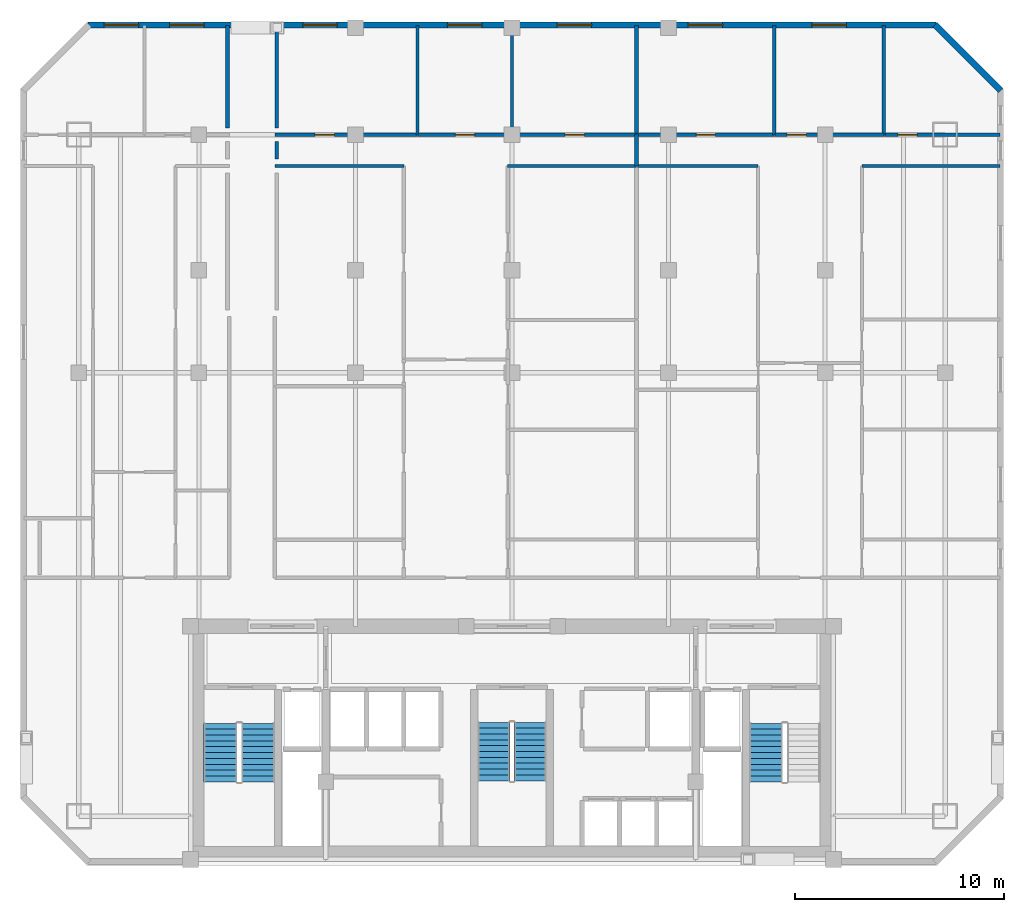
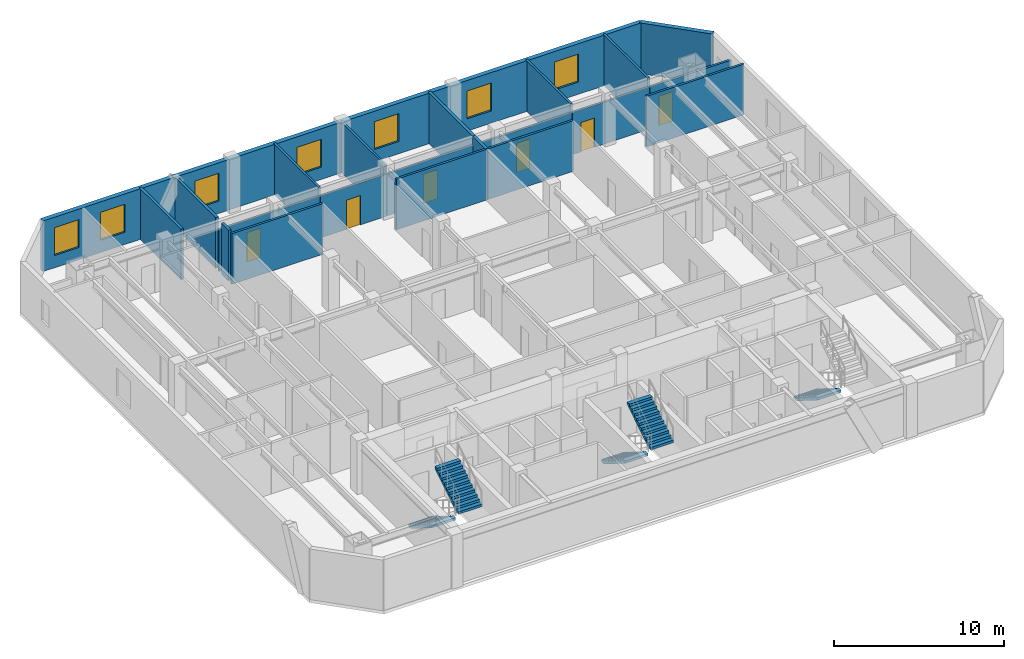
# One storey, part 6 of 8: 21 walls, 7 windows, 6 doors, 5 stair flights, 13 openings, 3 elements without a shape of their own.
"""IFC4 building model written with IfcOpenShell, lengths in metres."""

from ifc_helpers import new_model, si_unit, direction, frame, frame_2d, origin, place, context, subcontext, project, spatial, polyline, rectangle, outline, extrude, material, layer, layer_set, type_object, element, fill, aggregate, save


model = new_model("IFC4")

# Units and contexts
model_context = context("Model", 3, precision=1e-05, world=origin(), true_north=direction((0.0, 1.0)))
body_context = subcontext(model_context, "Body", "Model", "MODEL_VIEW")
ifc_project = project(units=[si_unit("LENGTHUNIT", "METRE"), si_unit("AREAUNIT", "SQUARE_METRE"), si_unit("VOLUMEUNIT", "CUBIC_METRE"), si_unit("PLANEANGLEUNIT", "RADIAN"), si_unit("MASSUNIT", "GRAM", prefix="KILO")], contexts=[model_context])

# Site, building, storey
site_placement = place(None, origin())
site = spatial("IfcSite", under=ifc_project, at=site_placement, CompositionType="ELEMENT")
building_placement = place(site_placement, origin())
building = spatial("IfcBuilding", under=site, at=building_placement, Name="Ventersveld Concourse Tower", CompositionType="ELEMENT")
storey_placement = place(building_placement, frame((0.0, 0.0, 160.60009765625)))
storey = spatial("IfcBuildingStorey", under=building, at=storey_placement, Name="L39", CompositionType="ELEMENT", Elevation=160.60009765625)

# Walls
ifc_material_1 = material(Name="Fire-rated autoclaved aerated masonry blockwork", Category="masonry")
ifc_layer_1 = layer(ifc_material_1, 0.179931640625)
ifc_layer_set_1 = layer_set([ifc_layer_1], Name="Fire-rated autoclaved aerated masonry blockwork")
wall_type_1 = type_object("IfcWallType", Name="WL-CORR-180", PredefinedType="PARTITIONING", material=ifc_layer_set_1)
wall_1_placement = place(storey_placement, frame((15.1201171875, 40.2275390625, 0.0), z_axis=(0.0, 0.0, 1.0), x_axis=(0.0, -1.0, 0.0)))
element("IfcWall", 1, at=wall_1_placement, inside=storey, type_object=wall_type_1, Name="L39 Room Enclosure Wall SP-L39-39NW-BR2", PredefinedType="PARTITIONING", context=body_context, shape_type="SweptSolid", body=[
    extrude(rectangle(XDim=4.902587890625, YDim=0.179931640625, at=frame_2d((2.451171875, 0.0))), origin(), (0.0, 0.0, 1.0), 3.6298828125),
])
wall_2_placement = place(storey_placement, frame((17.47998046875, 33.824951171875, 0.0), z_axis=(0.0, 0.0, 1.0), x_axis=(0.0, 1.0, 0.0)))
element("IfcWall", 2, at=wall_2_placement, inside=storey, type_object=wall_type_1, Name="L39 Room Enclosure Wall SP-L39-39N1-LIV", PredefinedType="PARTITIONING", context=body_context, shape_type="SweptSolid", body=[
    extrude(rectangle(XDim=0.85009765625, YDim=0.179931640625, at=frame_2d((0.425048828125, 0.0))), origin(), (0.0, 0.0, 1.0), 3.6298828125),
])
wall_3_placement = place(storey_placement, frame((17.47998046875, 35.324951171875, 0.0), z_axis=(0.0, 0.0, 1.0), x_axis=(0.0, 1.0, 0.0)))
element("IfcWall", 3, at=wall_3_placement, inside=storey, type_object=wall_type_1, Name="L39 Room Enclosure Wall SP-L39-39N1-BR1", PredefinedType="PARTITIONING", context=body_context, shape_type="SweptSolid", body=[
    extrude(rectangle(XDim=4.777099609375, YDim=0.179931640625, at=frame_2d((2.388671875, 0.0))), origin(), (0.0, 0.0, 1.0), 3.6298828125),
])
ifc_layer_2 = layer(ifc_material_1, 0.199951171875)
ifc_layer_set_2 = layer_set([ifc_layer_2], Name="Fire-rated autoclaved aerated masonry blockwork")
wall_type_2 = type_object("IfcWallType", Name="WL-DEMISE-200", PredefinedType="PARTITIONING", material=ifc_layer_set_2)
wall_4_placement = place(storey_placement, frame((34.719970703125, 33.4951171875, 0.0), z_axis=(0.0, 0.0, 1.0), x_axis=(0.0, 1.0, 0.0)))
element("IfcWall", 4, at=wall_4_placement, inside=storey, type_object=wall_type_2, Name="L39 Interior Partition SP-L39-39N1-LIV-SP-L39-39N2-LIV", PredefinedType="PARTITIONING", context=body_context, shape_type="SweptSolid", body=[
    extrude(rectangle(XDim=1.509765625, YDim=0.199951171875, at=frame_2d((0.7548828125, 0.0))), origin(), (0.0, 0.0, 1.0), 3.6298828125),
])
wall_5_placement = place(storey_placement, frame((34.719970703125, 35.034912109375, 0.0), z_axis=(0.0, 0.0, 1.0), x_axis=(0.0, 1.0, 0.0)))
element("IfcWall", 5, at=wall_5_placement, inside=storey, type_object=wall_type_2, Name="L39 Interior Partition SP-L39-39N1-BR3-SP-L39-39N2-BR1", PredefinedType="PARTITIONING", context=body_context, shape_type="SweptSolid", body=[
    extrude(rectangle(XDim=5.192626953125, YDim=0.199951171875, at=frame_2d((2.59619140625, 0.0))), origin(), (0.0, 0.0, 1.0), 3.6298828125),
])
ifc_material_2 = material(Name="Autoclaved aerated masonry blockwork", Category="masonry")
ifc_layer_3 = layer(ifc_material_2, 0.14990234375)
ifc_layer_set_3 = layer_set([ifc_layer_3], Name="Autoclaved aerated masonry blockwork")
wall_type_3 = type_object("IfcWallType", Name="WL-INT-150", PredefinedType="PARTITIONING", material=ifc_layer_set_3)
for number, where, z_axis, x_axis, name in (
    (6, (17.385009765625, 33.5, 0.0), (0.0, 0.0, 1.0), (1.0, 0.0, 0.0), "L39 Interior Partition SP-L39-39N1-LIV-SP-L39-39N1-DENL2"),
    (7, (28.5400390625, 33.5, 0.0), (0.0, 0.0, 1.0), (1.0, 0.0, 0.0), "L39 Interior Partition SP-L39-39N1-LIV-SP-L39-39N1-DENS2"),
):
    element("IfcWall", number, at=place(storey_placement, frame(where, z_axis=z_axis, x_axis=x_axis)), inside=storey, type_object=wall_type_3, Name=name, PredefinedType="PARTITIONING", context=body_context, shape_type="SweptSolid", body=[
        extrude(rectangle(XDim=6.18505859375, YDim=0.14990234375, at=frame_2d((3.092529296875, 0.0))), origin(), (0.0, 0.0, 1.0), 3.6298828125),
    ])

# Wall, opening, door
wall_6_placement = place(storey_placement, frame((17.385009765625, 35.0, 0.0), z_axis=(0.0, 0.0, 1.0), x_axis=(1.0, 0.0, 0.0)))
wall_6 = element("IfcWall", 8, at=wall_6_placement, inside=storey, type_object=wall_type_3, Name="L39 Interior Partition SP-L39-39N1-LIV-SP-L39-39N1-BR1", PredefinedType="PARTITIONING", context=body_context, shape_type="SweptSolid", body=[
    extrude(rectangle(XDim=6.8359375, YDim=0.14990234375, at=frame_2d((3.41796875, 0.0))), origin(), (0.0, 0.0, 1.0), 3.0126953125),
])
opening_1_placement = place(wall_6_placement, frame((1.9326171875, 0.0, 0.0)))
opening_1 = element("IfcOpeningElement", 9, at=opening_1_placement, cuts=wall_6, Name="Opening ID1", PredefinedType="OPENING", context=body_context, shape_type="SweptSolid", body=[
    extrude(rectangle(XDim=0.919921875, YDim=2.10009765625, at=frame_2d((0.4599609375, 1.050048828125))), frame((0.0, 0.0849609375, 0.0), z_axis=(0.0, -1.0, 0.0), x_axis=(1.0, 0.0, 0.0)), (0.0, 0.0, 1.0), 0.169921875),
])
ifc_material_3 = material(Name="Solid-core hardwood veneer timber", Category="wood")
door_type = type_object("IfcDoorType", Name="DR-ROOM-092", OperationType="NOTDEFINED", PredefinedType="DOOR", material=ifc_material_3)
door_1_placement = place(opening_1_placement, origin())
door_1 = element("IfcDoor", 10, at=door_1_placement, inside=storey, type_object=door_type, Name="L39 Interior Door SP-L39-39N1-LIV to SP-L39-39N1-BR1 (D-L39-1928)", OperationType="SINGLE_SWING_RIGHT", OverallHeight=2.10009765625, OverallWidth=0.919921875, PredefinedType="DOOR", context=body_context, shape_type="SweptSolid", body=[
    extrude(rectangle(XDim=0.919921875, YDim=2.10009765625, at=frame_2d((0.4599609375, 1.050048828125))), frame((0.0, 0.02490234375, 0.0), z_axis=(0.0, -1.0, 0.0), x_axis=(1.0, 0.0, 0.0)), (0.0, 0.0, 1.0), 0.050048828125),
])
fill(opening_1, door_1)

wall_7_placement = place(storey_placement, frame((24.2509765625, 35.0, 0.0), z_axis=(0.0, 0.0, 1.0), x_axis=(1.0, 0.0, 0.0)))
wall_7 = element("IfcWall", 11, at=wall_7_placement, inside=storey, type_object=wall_type_3, Name="L39 Interior Partition SP-L39-39N1-LIV-SP-L39-39N1-BR2", PredefinedType="PARTITIONING", context=body_context, shape_type="SweptSolid", body=[
    extrude(rectangle(XDim=4.50390625, YDim=0.14990234375, at=frame_2d((2.251953125, 0.0))), origin(), (0.0, 0.0, 1.0), 3.0126953125),
])
opening_2_placement = place(wall_7_placement, frame((1.7919921875, 0.0, 0.0)))
opening_2 = element("IfcOpeningElement", 12, at=opening_2_placement, cuts=wall_7, Name="Opening ID1", PredefinedType="OPENING", context=body_context, shape_type="SweptSolid", body=[
    extrude(rectangle(XDim=0.919921875, YDim=2.10009765625, at=frame_2d((0.4599609375, 1.050048828125))), frame((0.0, 0.0849609375, 0.0), z_axis=(0.0, -1.0, 0.0), x_axis=(1.0, 0.0, 0.0)), (0.0, 0.0, 1.0), 0.169921875),
])
door_2_placement = place(opening_2_placement, origin())
door_2 = element("IfcDoor", 13, at=door_2_placement, inside=storey, type_object=door_type, Name="L39 Interior Door SP-L39-39N1-LIV to SP-L39-39N1-BR2 (D-L39-1929)", OperationType="SINGLE_SWING_LEFT", OverallHeight=2.10009765625, OverallWidth=0.919921875, PredefinedType="DOOR", context=body_context, shape_type="SweptSolid", body=[
    extrude(rectangle(XDim=0.919921875, YDim=2.10009765625, at=frame_2d((0.4599609375, 1.050048828125))), frame((0.0, 0.02490234375, 0.0), z_axis=(0.0, -1.0, 0.0), x_axis=(1.0, 0.0, 0.0)), (0.0, 0.0, 1.0), 0.050048828125),
])
fill(opening_2, door_2)

wall_8_placement = place(storey_placement, frame((28.784912109375, 35.0, 0.0), z_axis=(0.0, 0.0, 1.0), x_axis=(1.0, 0.0, 0.0)))
wall_8 = element("IfcWall", 14, at=wall_8_placement, inside=storey, type_object=wall_type_3, Name="L39 Interior Partition SP-L39-39N1-LIV-SP-L39-39N1-BR3", PredefinedType="PARTITIONING", context=body_context, shape_type="SweptSolid", body=[
    extrude(rectangle(XDim=5.940185546875, YDim=0.14990234375, at=frame_2d((2.97021484375, 0.0))), origin(), (0.0, 0.0, 1.0), 3.0126953125),
])
opening_3_placement = place(wall_8_placement, frame((2.510009765625, 0.0, 0.0)))
opening_3 = element("IfcOpeningElement", 15, at=opening_3_placement, cuts=wall_8, Name="Opening ID1", PredefinedType="OPENING", context=body_context, shape_type="SweptSolid", body=[
    extrude(rectangle(XDim=0.919921875, YDim=2.10009765625, at=frame_2d((0.4599609375, 1.050048828125))), frame((0.0, 0.0849609375, 0.0), z_axis=(0.0, -1.0, 0.0), x_axis=(1.0, 0.0, 0.0)), (0.0, 0.0, 1.0), 0.169921875),
])
door_3_placement = place(opening_3_placement, origin())
door_3 = element("IfcDoor", 16, at=door_3_placement, inside=storey, type_object=door_type, Name="L39 Interior Door SP-L39-39N1-LIV to SP-L39-39N1-BR3 (D-L39-1930)", OperationType="SINGLE_SWING_RIGHT", OverallHeight=2.10009765625, OverallWidth=0.919921875, PredefinedType="DOOR", context=body_context, shape_type="SweptSolid", body=[
    extrude(rectangle(XDim=0.919921875, YDim=2.10009765625, at=frame_2d((0.4599609375, 1.050048828125))), frame((0.0, 0.02490234375, 0.0), z_axis=(0.0, -1.0, 0.0), x_axis=(1.0, 0.0, 0.0)), (0.0, 0.0, 1.0), 0.050048828125),
])
fill(opening_3, door_3)

# Walls
for number, where, z_axis, x_axis, name in (
    (17, (24.216064453125, 34.9951171875, 0.0), (0.0, 0.0, 1.0), (0.0, 1.0, 0.0), "L39 Interior Partition SP-L39-39N1-BR1-SP-L39-39N1-BR2"),
    (18, (28.75, 34.9951171875, 0.0), (0.0, 0.0, 1.0), (0.0, 1.0, 0.0), "L39 Interior Partition SP-L39-39N1-BR2-SP-L39-39N1-BR3"),
):
    element("IfcWall", number, at=place(storey_placement, frame(where, z_axis=z_axis, x_axis=x_axis)), inside=storey, type_object=wall_type_3, Name=name, PredefinedType="PARTITIONING", context=body_context, shape_type="SweptSolid", body=[
        extrude(rectangle(XDim=5.232421875, YDim=0.14990234375, at=frame_2d((2.6162109375, 0.0))), origin(), (0.0, 0.0, 1.0), 3.6298828125),
    ])
wall_9_placement = place(storey_placement, frame((34.7548828125, 33.5, 0.0), z_axis=(0.0, 0.0, 1.0), x_axis=(1.0, 0.0, 0.0)))
element("IfcWall", 19, at=wall_9_placement, inside=storey, type_object=wall_type_3, Name="L39 Interior Partition SP-L39-39N2-LIV-SP-L39-39N2-DENL2", PredefinedType="PARTITIONING", context=body_context, shape_type="SweptSolid", body=[
    extrude(rectangle(XDim=5.7861328125, YDim=0.14990234375, at=frame_2d((2.89306640625, 0.0))), origin(), (0.0, 0.0, 1.0), 3.6298828125),
])
wall_10_placement = place(storey_placement, frame((45.510986328125, 33.5, 0.0), z_axis=(0.0, 0.0, 1.0), x_axis=(1.0, 0.0, 0.0)))
element("IfcWall", 20, at=wall_10_placement, inside=storey, type_object=wall_type_3, Name="L39 Interior Partition SP-L39-39N2-LIV-SP-L39-39N2-DENS2", PredefinedType="PARTITIONING", context=body_context, shape_type="SweptSolid", body=[
    extrude(rectangle(XDim=6.616455078125, YDim=0.14990234375, at=frame_2d((3.30810546875, 0.0))), origin(), (0.0, 0.0, 1.0), 3.6298828125),
])

# Wall, opening, door
wall_11_placement = place(storey_placement, frame((34.7548828125, 35.0, 0.0), z_axis=(0.0, 0.0, 1.0), x_axis=(1.0, 0.0, 0.0)))
wall_11 = element("IfcWall", 21, at=wall_11_placement, inside=storey, type_object=wall_type_3, Name="L39 Interior Partition SP-L39-39N2-LIV-SP-L39-39N2-BR1", PredefinedType="PARTITIONING", context=body_context, shape_type="SweptSolid", body=[
    extrude(rectangle(XDim=6.566650390625, YDim=0.14990234375, at=frame_2d((3.283203125, 0.0))), origin(), (0.0, 0.0, 1.0), 3.0126953125),
])
opening_4_placement = place(wall_11_placement, frame((2.8232421875, 0.0, 0.0)))
opening_4 = element("IfcOpeningElement", 22, at=opening_4_placement, cuts=wall_11, Name="Opening ID1", PredefinedType="OPENING", context=body_context, shape_type="SweptSolid", body=[
    extrude(rectangle(XDim=0.919921875, YDim=2.10009765625, at=frame_2d((0.4599609375, 1.050048828125))), frame((0.0, 0.0849609375, 0.0), z_axis=(0.0, -1.0, 0.0), x_axis=(1.0, 0.0, 0.0)), (0.0, 0.0, 1.0), 0.169921875),
])
door_4_placement = place(opening_4_placement, origin())
door_4 = element("IfcDoor", 23, at=door_4_placement, inside=storey, type_object=door_type, Name="L39 Interior Door SP-L39-39N2-LIV to SP-L39-39N2-BR1 (D-L39-1941)", OperationType="SINGLE_SWING_LEFT", OverallHeight=2.10009765625, OverallWidth=0.919921875, PredefinedType="DOOR", context=body_context, shape_type="SweptSolid", body=[
    extrude(rectangle(XDim=0.919921875, YDim=2.10009765625, at=frame_2d((0.4599609375, 1.050048828125))), frame((0.0, 0.02490234375, 0.0), z_axis=(0.0, -1.0, 0.0), x_axis=(1.0, 0.0, 0.0)), (0.0, 0.0, 1.0), 0.050048828125),
])
fill(opening_4, door_4)

wall_12_placement = place(storey_placement, frame((41.3515625, 35.0, 0.0), z_axis=(0.0, 0.0, 1.0), x_axis=(1.0, 0.0, 0.0)))
wall_12 = element("IfcWall", 24, at=wall_12_placement, inside=storey, type_object=wall_type_3, Name="L39 Interior Partition SP-L39-39N2-LIV-SP-L39-39N2-BR2", PredefinedType="PARTITIONING", context=body_context, shape_type="SweptSolid", body=[
    extrude(rectangle(XDim=5.215576171875, YDim=0.14990234375, at=frame_2d((2.60791015625, 0.0))), origin(), (0.0, 0.0, 1.0), 3.0126953125),
])
opening_5_placement = place(wall_12_placement, frame((0.5830078125, 0.0, 0.0)))
opening_5 = element("IfcOpeningElement", 25, at=opening_5_placement, cuts=wall_12, Name="Opening ID1", PredefinedType="OPENING", context=body_context, shape_type="SweptSolid", body=[
    extrude(rectangle(XDim=0.919921875, YDim=2.10009765625, at=frame_2d((0.4599609375, 1.050048828125))), frame((0.0, 0.0849609375, 0.0), z_axis=(0.0, -1.0, 0.0), x_axis=(1.0, 0.0, 0.0)), (0.0, 0.0, 1.0), 0.169921875),
])
door_5_placement = place(opening_5_placement, origin())
door_5 = element("IfcDoor", 26, at=door_5_placement, inside=storey, type_object=door_type, Name="L39 Interior Door SP-L39-39N2-LIV to SP-L39-39N2-BR2 (D-L39-1942)", OperationType="SINGLE_SWING_RIGHT", OverallHeight=2.10009765625, OverallWidth=0.919921875, PredefinedType="DOOR", context=body_context, shape_type="SweptSolid", body=[
    extrude(rectangle(XDim=0.919921875, YDim=2.10009765625, at=frame_2d((0.4599609375, 1.050048828125))), frame((0.0, 0.02490234375, 0.0), z_axis=(0.0, -1.0, 0.0), x_axis=(1.0, 0.0, 0.0)), (0.0, 0.0, 1.0), 0.050048828125),
])
fill(opening_5, door_5)

wall_13_placement = place(storey_placement, frame((46.59716796875, 35.0, 0.0), z_axis=(0.0, 0.0, 1.0), x_axis=(1.0, 0.0, 0.0)))
wall_13 = element("IfcWall", 27, at=wall_13_placement, inside=storey, type_object=wall_type_3, Name="L39 Interior Partition SP-L39-39N2-LIV-SP-L39-39N2-BR3", PredefinedType="PARTITIONING", context=body_context, shape_type="SweptSolid", body=[
    extrude(rectangle(XDim=5.5302734375, YDim=0.14990234375, at=frame_2d((2.76513671875, 0.0))), origin(), (0.0, 0.0, 1.0), 3.0126953125),
])
opening_6_placement = place(wall_13_placement, frame((0.64599609375, 0.0, 0.0)))
opening_6 = element("IfcOpeningElement", 28, at=opening_6_placement, cuts=wall_13, Name="Opening ID1", PredefinedType="OPENING", context=body_context, shape_type="SweptSolid", body=[
    extrude(rectangle(XDim=0.919921875, YDim=2.10009765625, at=frame_2d((0.4599609375, 1.050048828125))), frame((0.0, 0.0849609375, 0.0), z_axis=(0.0, -1.0, 0.0), x_axis=(1.0, 0.0, 0.0)), (0.0, 0.0, 1.0), 0.169921875),
])
door_6_placement = place(opening_6_placement, origin())
door_6 = element("IfcDoor", 29, at=door_6_placement, inside=storey, type_object=door_type, Name="L39 Interior Door SP-L39-39N2-LIV to SP-L39-39N2-BR3 (D-L39-1943)", OperationType="SINGLE_SWING_LEFT", OverallHeight=2.10009765625, OverallWidth=0.919921875, PredefinedType="DOOR", context=body_context, shape_type="SweptSolid", body=[
    extrude(rectangle(XDim=0.919921875, YDim=2.10009765625, at=frame_2d((0.4599609375, 1.050048828125))), frame((0.0, 0.02490234375, 0.0), z_axis=(0.0, -1.0, 0.0), x_axis=(1.0, 0.0, 0.0)), (0.0, 0.0, 1.0), 0.050048828125),
])
fill(opening_6, door_6)

# Walls
for number, where, z_axis, x_axis, name in (
    (30, (41.31640625, 34.9951171875, 0.0), (0.0, 0.0, 1.0), (0.0, 1.0, 0.0), "L39 Interior Partition SP-L39-39N2-BR1-SP-L39-39N2-BR2"),
    (31, (46.56201171875, 34.9951171875, 0.0), (0.0, 0.0, 1.0), (0.0, 1.0, 0.0), "L39 Interior Partition SP-L39-39N2-BR2-SP-L39-39N2-BR3"),
):
    element("IfcWall", number, at=place(storey_placement, frame(where, z_axis=z_axis, x_axis=x_axis)), inside=storey, type_object=wall_type_3, Name=name, PredefinedType="PARTITIONING", context=body_context, shape_type="SweptSolid", body=[
        extrude(rectangle(XDim=5.232421875, YDim=0.14990234375, at=frame_2d((2.6162109375, 0.0))), origin(), (0.0, 0.0, 1.0), 3.6298828125),
    ])
ifc_material_4 = material(Name="Precast concrete C45/55", Category="concrete")
ifc_layer_4 = layer(ifc_material_4, 0.300048828125)
ifc_layer_set_4 = layer_set([ifc_layer_4], Name="Precast concrete C45/55")
wall_type_4 = type_object("IfcWallType", Name="WL-PREC-300", PredefinedType="SOLIDWALL", material=ifc_layer_set_4)
wall_14_placement = place(storey_placement, frame((52.16552734375, 37.122314453125, 0.0), z_axis=(0.0, 0.0, 1.0), x_axis=(-0.707106781187, 0.707106781187, 0.0)))
element("IfcWall", 32, at=wall_14_placement, inside=storey, type_object=wall_type_4, Name="L39 Highveld Precast Facade Wall E04", PredefinedType="SOLIDWALL", context=body_context, shape_type="SweptSolid", body=[
    extrude(rectangle(XDim=4.4453125, YDim=0.300048828125, at=frame_2d((2.22265625, 0.0))), origin(), (0.0, 0.0, 1.0), 3.6298828125),
])

# Wall, openings, windows
wall_15_placement = place(storey_placement, frame((49.06005859375, 40.25, 0.0), z_axis=(0.0, 0.0, 1.0), x_axis=(-1.0, 0.0, 0.0)))
wall_15 = element("IfcWall", 33, at=wall_15_placement, inside=storey, type_object=wall_type_4, Name="L39 Highveld Precast Facade Wall E05", PredefinedType="SOLIDWALL", context=body_context, shape_type="SweptSolid", body=[
    extrude(rectangle(XDim=40.6201171875, YDim=0.300048828125, at=frame_2d((20.31005859375, 0.0))), origin(), (0.0, 0.0, 1.0), 3.6298828125),
])
opening_7_placement = place(wall_15_placement, frame((38.199951171875, 0.0, 0.8798828125)))
opening_7 = element("IfcOpeningElement", 34, at=opening_7_placement, cuts=wall_15, Name="Opening W6", PredefinedType="OPENING", context=body_context, shape_type="SweptSolid", body=[
    extrude(rectangle(XDim=1.64990234375, YDim=2.0, at=frame_2d((0.824951171875, 1.0))), frame((0.0, 0.16015625, 0.0), z_axis=(0.0, -1.0, 0.0), x_axis=(1.0, 0.0, 0.0)), (0.0, 0.0, 1.0), 0.320068359375),
])
opening_8_placement = place(wall_15_placement, frame((35.060546875, 0.0, 0.8798828125)))
opening_8 = element("IfcOpeningElement", 35, at=opening_8_placement, cuts=wall_15, Name="Opening W6", PredefinedType="OPENING", context=body_context, shape_type="SweptSolid", body=[
    extrude(rectangle(XDim=1.64990234375, YDim=2.0, at=frame_2d((0.824951171875, 1.0))), frame((0.0, 0.16015625, 0.0), z_axis=(0.0, -1.0, 0.0), x_axis=(1.0, 0.0, 0.0)), (0.0, 0.0, 1.0), 0.320068359375),
])
opening_9_placement = place(wall_15_placement, frame((28.6845703125, 0.0, 0.8798828125)))
opening_9 = element("IfcOpeningElement", 36, at=opening_9_placement, cuts=wall_15, Name="Opening W6", PredefinedType="OPENING", context=body_context, shape_type="SweptSolid", body=[
    extrude(rectangle(XDim=1.64990234375, YDim=2.0, at=frame_2d((0.824951171875, 1.0))), frame((0.0, 0.16015625, 0.0), z_axis=(0.0, -1.0, 0.0), x_axis=(1.0, 0.0, 0.0)), (0.0, 0.0, 1.0), 0.320068359375),
])
opening_10_placement = place(wall_15_placement, frame((21.751953125, 0.0, 0.8798828125)))
opening_10 = element("IfcOpeningElement", 37, at=opening_10_placement, cuts=wall_15, Name="Opening W6", PredefinedType="OPENING", context=body_context, shape_type="SweptSolid", body=[
    extrude(rectangle(XDim=1.64990234375, YDim=2.0, at=frame_2d((0.824951171875, 1.0))), frame((0.0, 0.16015625, 0.0), z_axis=(0.0, -1.0, 0.0), x_axis=(1.0, 0.0, 0.0)), (0.0, 0.0, 1.0), 0.320068359375),
])
opening_11_placement = place(wall_15_placement, frame((16.5, 0.0, 0.8798828125)))
opening_11 = element("IfcOpeningElement", 38, at=opening_11_placement, cuts=wall_15, Name="Opening W6", PredefinedType="OPENING", context=body_context, shape_type="SweptSolid", body=[
    extrude(rectangle(XDim=1.64990234375, YDim=2.0, at=frame_2d((0.824951171875, 1.0))), frame((0.0, 0.16015625, 0.0), z_axis=(0.0, -1.0, 0.0), x_axis=(1.0, 0.0, 0.0)), (0.0, 0.0, 1.0), 0.320068359375),
])
opening_12_placement = place(wall_15_placement, frame((10.216796875, 0.0, 0.8798828125)))
opening_12 = element("IfcOpeningElement", 39, at=opening_12_placement, cuts=wall_15, Name="Opening W6", PredefinedType="OPENING", context=body_context, shape_type="SweptSolid", body=[
    extrude(rectangle(XDim=1.64990234375, YDim=2.0, at=frame_2d((0.824951171875, 1.0))), frame((0.0, 0.16015625, 0.0), z_axis=(0.0, -1.0, 0.0), x_axis=(1.0, 0.0, 0.0)), (0.0, 0.0, 1.0), 0.320068359375),
])
opening_13_placement = place(wall_15_placement, frame((4.295654296875, 0.0, 0.8798828125)))
opening_13 = element("IfcOpeningElement", 40, at=opening_13_placement, cuts=wall_15, Name="Opening W6", PredefinedType="OPENING", context=body_context, shape_type="SweptSolid", body=[
    extrude(rectangle(XDim=1.64990234375, YDim=2.0, at=frame_2d((0.824951171875, 1.0))), frame((0.0, 0.16015625, 0.0), z_axis=(0.0, -1.0, 0.0), x_axis=(1.0, 0.0, 0.0)), (0.0, 0.0, 1.0), 0.320068359375),
])
ifc_material_5 = material(Name="Tempered acoustic Low-E IGU", Category="glass")
window_type = type_object("IfcWindowType", Name="WIN-165x200", PartitioningType="SINGLE_PANEL", PredefinedType="WINDOW", material=ifc_material_5)
window_1_placement = place(opening_7_placement, origin())
window_1 = element("IfcWindow", 41, at=window_1_placement, inside=storey, type_object=window_type, Name="L39 Punched Low-E Window W-0519", OverallHeight=2.0, OverallWidth=1.64990234375, PartitioningType="SINGLE_PANEL", PredefinedType="WINDOW", context=body_context, shape_type="SweptSolid", body=[
    extrude(rectangle(XDim=1.64990234375, YDim=2.0, at=frame_2d((0.824951171875, 1.0))), frame((0.0, 0.030029296875, 0.0), z_axis=(0.0, -1.0, 0.0), x_axis=(1.0, 0.0, 0.0)), (0.0, 0.0, 1.0), 0.06005859375),
])
fill(opening_7, window_1)
window_2_placement = place(opening_8_placement, origin())
window_2 = element("IfcWindow", 42, at=window_2_placement, inside=storey, type_object=window_type, Name="L39 Punched Low-E Window W-0520", OverallHeight=2.0, OverallWidth=1.64990234375, PartitioningType="SINGLE_PANEL", PredefinedType="WINDOW", context=body_context, shape_type="SweptSolid", body=[
    extrude(rectangle(XDim=1.64990234375, YDim=2.0, at=frame_2d((0.824951171875, 1.0))), frame((0.0, 0.030029296875, 0.0), z_axis=(0.0, -1.0, 0.0), x_axis=(1.0, 0.0, 0.0)), (0.0, 0.0, 1.0), 0.06005859375),
])
fill(opening_8, window_2)
window_3_placement = place(opening_9_placement, origin())
window_3 = element("IfcWindow", 43, at=window_3_placement, inside=storey, type_object=window_type, Name="L39 Punched Low-E Window W-0521", OverallHeight=2.0, OverallWidth=1.64990234375, PartitioningType="SINGLE_PANEL", PredefinedType="WINDOW", context=body_context, shape_type="SweptSolid", body=[
    extrude(rectangle(XDim=1.64990234375, YDim=2.0, at=frame_2d((0.824951171875, 1.0))), frame((0.0, 0.030029296875, 0.0), z_axis=(0.0, -1.0, 0.0), x_axis=(1.0, 0.0, 0.0)), (0.0, 0.0, 1.0), 0.06005859375),
])
fill(opening_9, window_3)
window_4_placement = place(opening_10_placement, origin())
window_4 = element("IfcWindow", 44, at=window_4_placement, inside=storey, type_object=window_type, Name="L39 Punched Low-E Window W-0522", OverallHeight=2.0, OverallWidth=1.64990234375, PartitioningType="SINGLE_PANEL", PredefinedType="WINDOW", context=body_context, shape_type="SweptSolid", body=[
    extrude(rectangle(XDim=1.64990234375, YDim=2.0, at=frame_2d((0.824951171875, 1.0))), frame((0.0, 0.030029296875, 0.0), z_axis=(0.0, -1.0, 0.0), x_axis=(1.0, 0.0, 0.0)), (0.0, 0.0, 1.0), 0.06005859375),
])
fill(opening_10, window_4)
window_5_placement = place(opening_11_placement, origin())
window_5 = element("IfcWindow", 45, at=window_5_placement, inside=storey, type_object=window_type, Name="L39 Punched Low-E Window W-0523", OverallHeight=2.0, OverallWidth=1.64990234375, PartitioningType="SINGLE_PANEL", PredefinedType="WINDOW", context=body_context, shape_type="SweptSolid", body=[
    extrude(rectangle(XDim=1.64990234375, YDim=2.0, at=frame_2d((0.824951171875, 1.0))), frame((0.0, 0.030029296875, 0.0), z_axis=(0.0, -1.0, 0.0), x_axis=(1.0, 0.0, 0.0)), (0.0, 0.0, 1.0), 0.06005859375),
])
fill(opening_11, window_5)
window_6_placement = place(opening_12_placement, origin())
window_6 = element("IfcWindow", 46, at=window_6_placement, inside=storey, type_object=window_type, Name="L39 Punched Low-E Window W-0529", OverallHeight=2.0, OverallWidth=1.64990234375, PartitioningType="SINGLE_PANEL", PredefinedType="WINDOW", context=body_context, shape_type="SweptSolid", body=[
    extrude(rectangle(XDim=1.64990234375, YDim=2.0, at=frame_2d((0.824951171875, 1.0))), frame((0.0, 0.030029296875, 0.0), z_axis=(0.0, -1.0, 0.0), x_axis=(1.0, 0.0, 0.0)), (0.0, 0.0, 1.0), 0.06005859375),
])
fill(opening_12, window_6)
window_7_placement = place(opening_13_placement, origin())
window_7 = element("IfcWindow", 47, at=window_7_placement, inside=storey, type_object=window_type, Name="L39 Punched Low-E Window W-0530", OverallHeight=2.0, OverallWidth=1.64990234375, PartitioningType="SINGLE_PANEL", PredefinedType="WINDOW", context=body_context, shape_type="SweptSolid", body=[
    extrude(rectangle(XDim=1.64990234375, YDim=2.0, at=frame_2d((0.824951171875, 1.0))), frame((0.0, 0.030029296875, 0.0), z_axis=(0.0, -1.0, 0.0), x_axis=(1.0, 0.0, 0.0)), (0.0, 0.0, 1.0), 0.06005859375),
])
fill(opening_13, window_7)

# Stair, stair flights
ifc_material_6 = material(Name="Concrete C50/60", Category="concrete")
stair_type_1 = type_object("IfcStairType", Name="ST-DOG-155", PredefinedType="HALF_TURN_STAIR", material=ifc_material_6)
stair_1_placement = place(storey_placement, origin())
stair_1 = element("IfcStair", 48, at=stair_1_placement, inside=storey, type_object=stair_type_1, Name="L39 Protected Central Core Escape Stair ST-03", PredefinedType="HALF_TURN_STAIR")
stair_flight_type_1 = type_object("IfcStairFlightType", Name="STF-RC-155", PredefinedType="STRAIGHT", material=ifc_material_6)
stair_flight_1_placement = place(storey_placement, frame((27.875, 6.85009765625, 0.0), z_axis=(0.0, 0.0, 1.0), x_axis=(0.0, -1.0, 0.0)))
stair_flight_1 = element("IfcStairFlight", 49, at=stair_flight_1_placement, type_object=stair_flight_type_1, Name="ST-03 flight 1", NumberOfRisers=11, NumberOfTreads=10, PredefinedType="STRAIGHT", RiserHeight=0.175, TreadLength=0.28, context=body_context, shape_type="SweptSolid", body=[
    extrude(outline(polyline([(0.0, 0.0), (0.0, 0.175048828125), (0.280029296875, 0.175048828125), (0.280029296875, 0.35009765625), (0.56005859375, 0.35009765625), (0.56005859375, 0.52490234375), (0.840087890625, 0.52490234375), (0.840087890625, 0.699951171875), (1.1201171875, 0.699951171875), (1.1201171875, 0.875), (1.39990234375, 0.875), (1.39990234375, 1.050048828125), (1.679931640625, 1.050048828125), (1.679931640625, 1.22509765625), (1.9599609375, 1.22509765625), (1.9599609375, 1.39990234375), (2.239990234375, 1.39990234375), (2.239990234375, 1.574951171875), (2.52001953125, 1.574951171875), (2.52001953125, 1.75), (2.800048828125, 1.75), (2.800048828125, 1.925048828125), (2.800048828125, 1.5732421875), (0.28271484375, 0.0), (0.0, 0.0)])), frame((0.0, 0.77490234375, 0.0), z_axis=(0.0, -1.0, 0.0), x_axis=(1.0, 0.0, 0.0)), (0.0, 0.0, 1.0), 1.550048828125),
])
stair_flight_2_placement = place(storey_placement, frame((29.625, 4.050048828125, 1.9248046875), z_axis=(0.0, 0.0, 1.0), x_axis=(0.0, 1.0, 0.0)))
stair_flight_2 = element("IfcStairFlight", 50, at=stair_flight_2_placement, type_object=stair_flight_type_1, Name="ST-03 flight 2", NumberOfRisers=11, NumberOfTreads=10, PredefinedType="STRAIGHT", RiserHeight=0.175, TreadLength=0.28, context=body_context, shape_type="SweptSolid", body=[
    extrude(outline(polyline([(0.0, 0.0), (0.0, 0.175048828125), (0.280029296875, 0.175048828125), (0.280029296875, 0.35009765625), (0.56005859375, 0.35009765625), (0.56005859375, 0.52490234375), (0.840087890625, 0.52490234375), (0.840087890625, 0.699951171875), (1.1201171875, 0.699951171875), (1.1201171875, 0.875), (1.39990234375, 0.875), (1.39990234375, 1.050048828125), (1.679931640625, 1.050048828125), (1.679931640625, 1.22509765625), (1.9599609375, 1.22509765625), (1.9599609375, 1.39990234375), (2.239990234375, 1.39990234375), (2.239990234375, 1.574951171875), (2.52001953125, 1.574951171875), (2.52001953125, 1.75), (2.800048828125, 1.75), (2.800048828125, 1.925048828125), (2.800048828125, 1.5732421875), (0.28271484375, 0.0), (0.0, 0.0)])), frame((0.0, 0.77490234375, 0.0), z_axis=(0.0, -1.0, 0.0), x_axis=(1.0, 0.0, 0.0)), (0.0, 0.0, 1.0), 1.550048828125),
])
aggregate(stair_1, [stair_flight_1, stair_flight_2])

stair_type_2 = type_object("IfcStairType", Name="ST-DOG-160", PredefinedType="HALF_TURN_STAIR", material=ifc_material_6)
stair_2_placement = place(storey_placement, origin())
stair_2 = element("IfcStair", 51, at=stair_2_placement, inside=storey, type_object=stair_type_2, Name="L39 Protected Tower Escape Stair ST-01", PredefinedType="HALF_TURN_STAIR")
stair_flight_type_2 = type_object("IfcStairFlightType", Name="STF-RC-160", PredefinedType="STRAIGHT", material=ifc_material_6)
stair_flight_3_placement = place(storey_placement, frame((14.780029296875, 6.800048828125, 0.0), z_axis=(0.0, 0.0, 1.0), x_axis=(0.0, -1.0, 0.0)))
stair_flight_3 = element("IfcStairFlight", 52, at=stair_flight_3_placement, type_object=stair_flight_type_2, Name="ST-01 flight 1", NumberOfRisers=11, NumberOfTreads=10, PredefinedType="STRAIGHT", RiserHeight=0.175, TreadLength=0.28, context=body_context, shape_type="SweptSolid", body=[
    extrude(outline(polyline([(0.0, 0.0), (0.0, 0.175048828125), (0.280029296875, 0.175048828125), (0.280029296875, 0.35009765625), (0.56005859375, 0.35009765625), (0.56005859375, 0.52490234375), (0.840087890625, 0.52490234375), (0.840087890625, 0.699951171875), (1.1201171875, 0.699951171875), (1.1201171875, 0.875), (1.39990234375, 0.875), (1.39990234375, 1.050048828125), (1.679931640625, 1.050048828125), (1.679931640625, 1.22509765625), (1.9599609375, 1.22509765625), (1.9599609375, 1.39990234375), (2.239990234375, 1.39990234375), (2.239990234375, 1.574951171875), (2.52001953125, 1.574951171875), (2.52001953125, 1.75), (2.800048828125, 1.75), (2.800048828125, 1.925048828125), (2.800048828125, 1.5732421875), (0.28271484375, 0.0), (0.0, 0.0)])), frame((0.0, 0.800048828125, 0.0), z_axis=(0.0, -1.0, 0.0), x_axis=(1.0, 0.0, 0.0)), (0.0, 0.0, 1.0), 1.60009765625),
])
stair_flight_4_placement = place(storey_placement, frame((16.580078125, 4.0, 1.9248046875), z_axis=(0.0, 0.0, 1.0), x_axis=(0.0, 1.0, 0.0)))
stair_flight_4 = element("IfcStairFlight", 53, at=stair_flight_4_placement, type_object=stair_flight_type_2, Name="ST-01 flight 2", NumberOfRisers=11, NumberOfTreads=10, PredefinedType="STRAIGHT", RiserHeight=0.175, TreadLength=0.28, context=body_context, shape_type="SweptSolid", body=[
    extrude(outline(polyline([(0.0, 0.0), (0.0, 0.175048828125), (0.280029296875, 0.175048828125), (0.280029296875, 0.35009765625), (0.56005859375, 0.35009765625), (0.56005859375, 0.52490234375), (0.840087890625, 0.52490234375), (0.840087890625, 0.699951171875), (1.1201171875, 0.699951171875), (1.1201171875, 0.875), (1.39990234375, 0.875), (1.39990234375, 1.050048828125), (1.679931640625, 1.050048828125), (1.679931640625, 1.22509765625), (1.9599609375, 1.22509765625), (1.9599609375, 1.39990234375), (2.239990234375, 1.39990234375), (2.239990234375, 1.574951171875), (2.52001953125, 1.574951171875), (2.52001953125, 1.75), (2.800048828125, 1.75), (2.800048828125, 1.925048828125), (2.800048828125, 1.5732421875), (0.28271484375, 0.0), (0.0, 0.0)])), frame((0.0, 0.800048828125, 0.0), z_axis=(0.0, -1.0, 0.0), x_axis=(1.0, 0.0, 0.0)), (0.0, 0.0, 1.0), 1.60009765625),
])
aggregate(stair_2, [stair_flight_3, stair_flight_4])

# Stair, stair flight
stair_3_placement = place(storey_placement, origin())
stair_3 = element("IfcStair", 54, at=stair_3_placement, inside=storey, type_object=stair_type_2, Name="L39 Protected Tower Escape Stair ST-02", PredefinedType="HALF_TURN_STAIR")
stair_flight_5_placement = place(storey_placement, frame((40.919921875, 6.800048828125, 0.0), z_axis=(0.0, 0.0, 1.0), x_axis=(0.0, -1.0, 0.0)))
stair_flight_5 = element("IfcStairFlight", 55, at=stair_flight_5_placement, type_object=stair_flight_type_2, Name="ST-02 flight 1", NumberOfRisers=11, NumberOfTreads=10, PredefinedType="STRAIGHT", RiserHeight=0.175, TreadLength=0.28, context=body_context, shape_type="SweptSolid", body=[
    extrude(outline(polyline([(0.0, 0.0), (0.0, 0.175048828125), (0.280029296875, 0.175048828125), (0.280029296875, 0.35009765625), (0.56005859375, 0.35009765625), (0.56005859375, 0.52490234375), (0.840087890625, 0.52490234375), (0.840087890625, 0.699951171875), (1.1201171875, 0.699951171875), (1.1201171875, 0.875), (1.39990234375, 0.875), (1.39990234375, 1.050048828125), (1.679931640625, 1.050048828125), (1.679931640625, 1.22509765625), (1.9599609375, 1.22509765625), (1.9599609375, 1.39990234375), (2.239990234375, 1.39990234375), (2.239990234375, 1.574951171875), (2.52001953125, 1.574951171875), (2.52001953125, 1.75), (2.800048828125, 1.75), (2.800048828125, 1.925048828125), (2.800048828125, 1.5732421875), (0.28271484375, 0.0), (0.0, 0.0)])), frame((0.0, 0.800048828125, 0.0), z_axis=(0.0, -1.0, 0.0), x_axis=(1.0, 0.0, 0.0)), (0.0, 0.0, 1.0), 1.60009765625),
])
aggregate(stair_3, [stair_flight_5])

save(model, "model.ifc")
